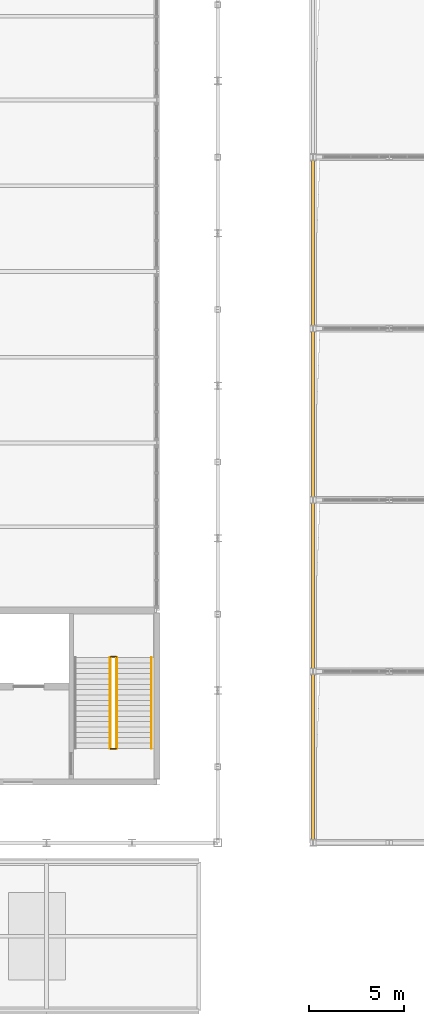
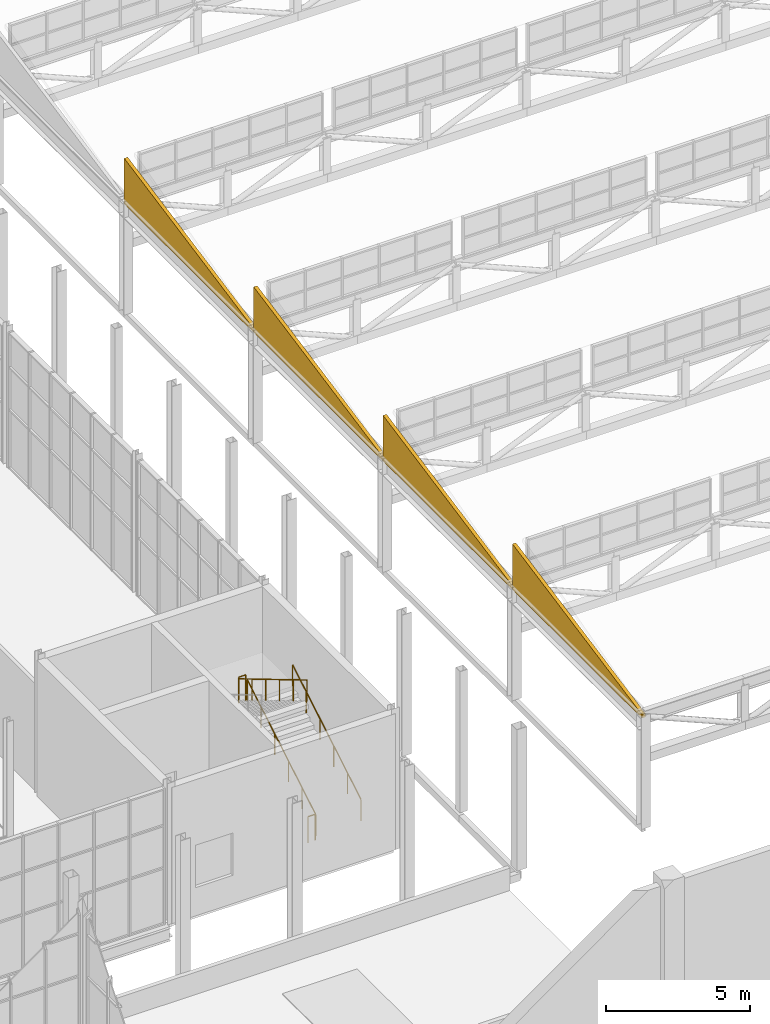
# One storey, part 157 of 159: 5 railings, 4 coverings.
"""IFC4 building model written with IfcOpenShell, lengths in metres."""

from ifc_helpers import new_model, si_unit, direction, frame, origin, origin_2d, place, context, subcontext, project, spatial, polyline, circle, outline, extrude, material, type_object, element, save


model = new_model("IFC4")

# Units and contexts
model_context = context("Model", 3, precision=1e-05, world=origin(), true_north=direction((0.0, 1.0)))
body_context = subcontext(model_context, "Body", "Model", "MODEL_VIEW")
ifc_project = project(units=[si_unit("LENGTHUNIT", "METRE"), si_unit("AREAUNIT", "SQUARE_METRE"), si_unit("VOLUMEUNIT", "CUBIC_METRE"), si_unit("PLANEANGLEUNIT", "RADIAN"), si_unit("MASSUNIT", "GRAM", prefix="KILO")], contexts=[model_context])

# Site, building, storey
site_placement = place(None, origin())
site = spatial("IfcSite", under=ifc_project, at=site_placement, CompositionType="ELEMENT")
building_placement = place(site_placement, origin())
building = spatial("IfcBuilding", under=site, at=building_placement, Name="Cazmaro Siding Exhibition Halls", CompositionType="ELEMENT")
storey_placement = place(building_placement, frame((0.0, 0.0, 6.0)))
storey = spatial("IfcBuildingStorey", under=building, at=storey_placement, Name="L01", CompositionType="ELEMENT", Elevation=6.0)

# Railings
ifc_material_1 = material(Name="Painted Steel Stairwell Guardrail", Category="steel")
railing_type_1 = type_object("IfcRailingType", Name="RL-GRD-01", PredefinedType="GUARDRAIL", material=ifc_material_1)
for number, where, name in (
    (1, (165.3798828125, 68.93994140625, 0.0), "Core C2 L01 Landing Slot Guard RL-GRD-01 RL-SG006"),
    (2, (165.3798828125, 73.760009765625, 3.0), "ST-04 Mid-Landing Slot Guard RL-GRD-01 RL-SG007"),
):
    element("IfcRailing", number, at=place(storey_placement, frame(where)), inside=storey, type_object=railing_type_1, Name=name, PredefinedType="GUARDRAIL", context=body_context, shape_type="SweptSolid", body=[
        extrude(circle(Radius=0.02392578125, at=origin_2d()), frame((0.0, 0.0, 1.09619140625), z_axis=(1.0, 0.0, 0.0), x_axis=(0.0, 1.0, 0.0)), (0.0, 0.0, 1.0), 0.28515625),
        extrude(circle(Radius=0.02099609375, at=origin_2d()), origin(), (0.0, 0.0, 1.0), 1.072021484375),
        extrude(circle(Radius=0.02099609375, at=origin_2d()), frame((0.28515625, 0.0, 0.0)), (0.0, 0.0, 1.0), 1.072021484375),
    ])
ifc_material_2 = material(Name="Brushed Stainless Steel Tubular Handrail", Category="steel")
railing_type_2 = type_object("IfcRailingType", Name="RL-HR-01", PredefinedType="HANDRAIL", material=ifc_material_2)
for number, where, name in (
    (3, (165.699951171875, 68.9599609375, 0.1669921875), "ST-04 Flight 1 Handrail 1"),
    (4, (167.52001953125, 68.9599609375, 0.1669921875), "ST-04 Flight 1 Handrail 2"),
):
    element("IfcRailing", number, at=place(storey_placement, frame(where)), inside=storey, type_object=railing_type_2, Name=name, PredefinedType="HANDRAIL", context=body_context, shape_type="SweptSolid", body=[
        extrude(circle(Radius=0.02392578125, at=origin_2d()), frame((0.0, 0.0, 0.89599609375), z_axis=(0.0, 0.859319172962, 0.511439692417), x_axis=(-1.0, 0.0, 0.0)), (0.0, 0.0, 1.0), 5.539306640625),
        extrude(circle(Radius=0.02099609375, at=origin_2d()), origin(), (0.0, 0.0, 1.0), 0.871826171875),
        extrude(circle(Radius=0.02099609375, at=origin_2d()), frame((0.0, 0.951904296875, 0.566650390625)), (0.0, 0.0, 1.0), 0.871826171875),
        extrude(circle(Radius=0.02099609375, at=origin_2d()), frame((0.0, 1.904052734375, 1.13330078125)), (0.0, 0.0, 1.0), 0.871826171875),
        extrude(circle(Radius=0.02099609375, at=origin_2d()), frame((0.0, 2.85595703125, 1.69970703125)), (0.0, 0.0, 1.0), 0.871826171875),
        extrude(circle(Radius=0.02099609375, at=origin_2d()), frame((0.0, 3.80810546875, 2.266357421875)), (0.0, 0.0, 1.0), 0.871826171875),
        extrude(circle(Radius=0.02099609375, at=origin_2d()), frame((0.0, 4.760009765625, 2.8330078125)), (0.0, 0.0, 1.0), 0.871826171875),
    ])
railing_placement = place(storey_placement, frame((165.344970703125, 73.719970703125, 3.1669921875)))
element("IfcRailing", 5, at=railing_placement, inside=storey, type_object=railing_type_2, Name="ST-04 Flight 2 Handrail 2", PredefinedType="HANDRAIL", context=body_context, shape_type="SweptSolid", body=[
    extrude(circle(Radius=0.02392578125, at=origin_2d()), frame((0.0, 0.0, 0.89599609375), z_axis=(0.0, -0.859319172962, 0.511439692417), x_axis=(1.0, 0.0, 0.0)), (0.0, 0.0, 1.0), 5.539306640625),
    extrude(circle(Radius=0.02099609375, at=origin_2d()), origin(), (0.0, 0.0, 1.0), 0.871826171875),
    extrude(circle(Radius=0.02099609375, at=origin_2d()), frame((0.0, -0.951904296875, 0.566650390625)), (0.0, 0.0, 1.0), 0.871826171875),
    extrude(circle(Radius=0.02099609375, at=origin_2d()), frame((0.0, -1.904052734375, 1.13330078125)), (0.0, 0.0, 1.0), 0.871826171875),
    extrude(circle(Radius=0.02099609375, at=origin_2d()), frame((0.0, -2.85595703125, 1.69970703125)), (0.0, 0.0, 1.0), 0.871826171875),
    extrude(circle(Radius=0.02099609375, at=origin_2d()), frame((0.0, -3.80810546875, 2.266357421875)), (0.0, 0.0, 1.0), 0.871826171875),
    extrude(circle(Radius=0.02099609375, at=origin_2d()), frame((0.0, -4.760009765625, 2.8330078125)), (0.0, 0.0, 1.0), 0.871826171875),
])

# Coverings
ifc_material_3 = material(Name="Insulated Brushed Aluminum Architectural Gable Cladding", Category="aluminium")
covering_type = type_object("IfcCoveringType", Name="COV-CLAD-01", PredefinedType="CLADDING", material=ifc_material_3)
for number, where, z_axis, x_axis, name in (
    (6, (176.0, 64.0, -6.0), (0.0, 0.0, 1.0), (0.0, 1.0, 0.0), "Sawtooth West Cheek Cladding Bay 1 COV-CLAD-01 003"),
    (7, (176.0, 73.0, -6.0), (0.0, 0.0, 1.0), (0.0, 1.0, 0.0), "Sawtooth West Cheek Cladding Bay 2 COV-CLAD-01 005"),
    (8, (176.0, 82.0, -6.0), (0.0, 0.0, 1.0), (0.0, 1.0, 0.0), "Sawtooth West Cheek Cladding Bay 3 COV-CLAD-01 007"),
    (9, (176.0, 91.0, -6.0), (0.0, 0.0, 1.0), (0.0, 1.0, 0.0), "Sawtooth West Cheek Cladding Bay 4 COV-CLAD-01 009"),
):
    element("IfcCovering", number, at=place(storey_placement, frame(where, z_axis=z_axis, x_axis=x_axis)), inside=storey, type_object=covering_type, Name=name, PredefinedType="CLADDING", context=body_context, shape_type="SweptSolid", body=[
        extrude(outline(polyline([(0.0, 10.580078125), (9.0, 10.580078125), (9.0, 12.52001953125), (0.0, 10.739990234375), (0.0, 10.580078125)])), frame((0.0, 0.06982421875, 0.0), z_axis=(0.0, -1.0, 0.0), x_axis=(1.0, 0.0, 0.0)), (0.0, 0.0, 1.0), 0.139892578125),
    ])

save(model, "model.ifc")
